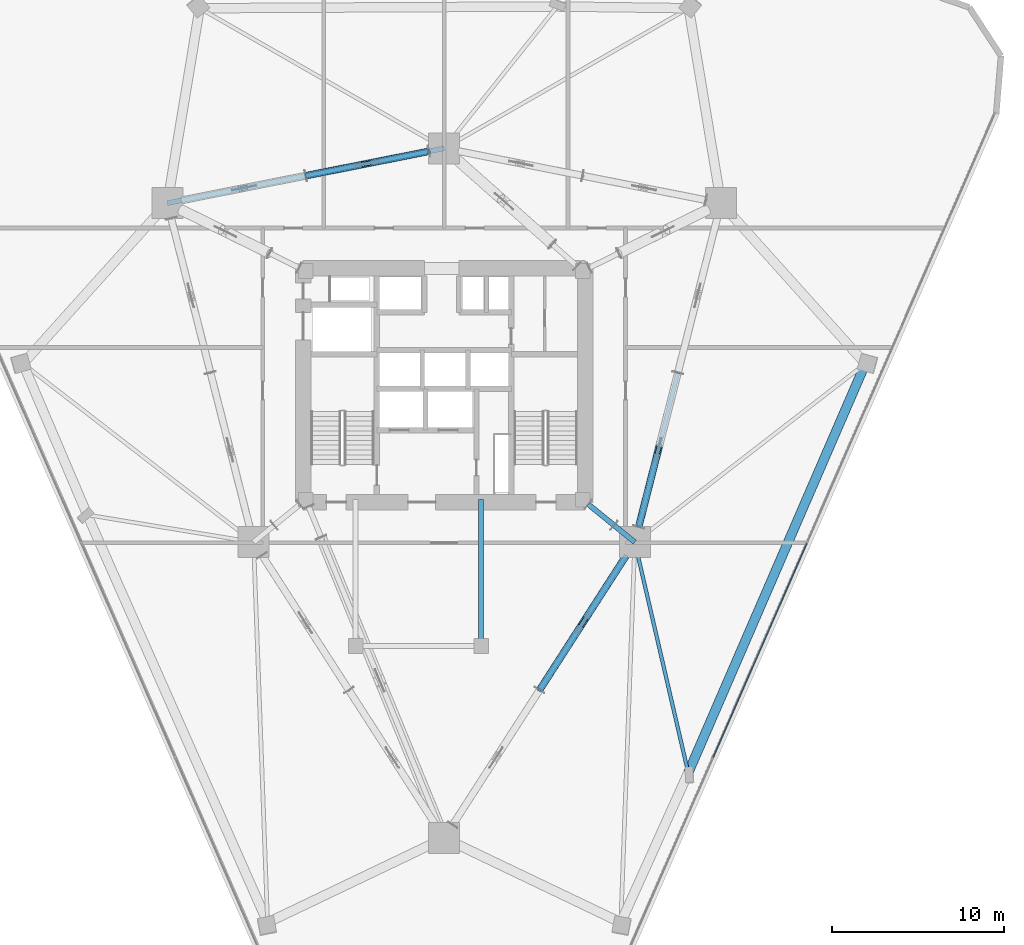
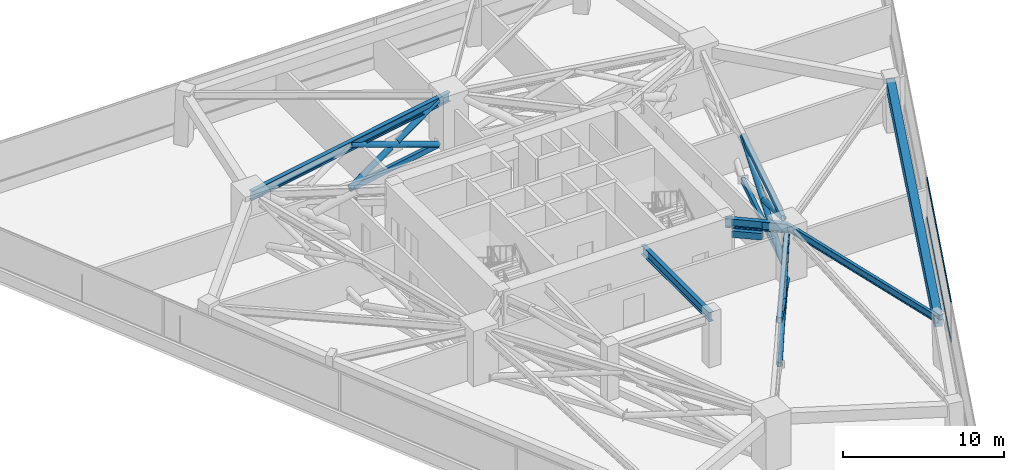
# One storey, part 9 of 20: 18 members, 5 beams, 1 element without a shape of its own.
"""IFC4 building model written with IfcOpenShell, lengths in metres."""

from ifc_helpers import new_model, si_unit, direction, frame, origin, origin_2d, place, context, subcontext, project, spatial, rectangle, hollow_rectangle, hollow_circle, i_section, extrude, material, layer, layer_set, material_profile, profile_set, type_object, element, aggregate, save


model = new_model("IFC4")

# Units and contexts
model_context = context("Model", 3, precision=1e-05, world=origin(), true_north=direction((0.0, 1.0)))
body_context = subcontext(model_context, "Body", "Model", "MODEL_VIEW")
ifc_project = project(units=[si_unit("LENGTHUNIT", "METRE"), si_unit("AREAUNIT", "SQUARE_METRE"), si_unit("VOLUMEUNIT", "CUBIC_METRE"), si_unit("PLANEANGLEUNIT", "RADIAN"), si_unit("MASSUNIT", "GRAM", prefix="KILO")], contexts=[model_context])

# Site, building, storey
site_placement = place(None, origin())
site = spatial("IfcSite", under=ifc_project, at=site_placement, CompositionType="ELEMENT")
building_placement = place(site_placement, origin())
building = spatial("IfcBuilding", under=site, at=building_placement, Name="Talyreon Biosciences Tower", CompositionType="ELEMENT")
storey_placement = place(building_placement, frame((0.0, 0.0, 66.60009765625)))
storey = spatial("IfcBuildingStorey", under=building, at=storey_placement, Name="L17", CompositionType="ELEMENT", Elevation=66.60009765625)

# Members
ifc_material_1 = material(Name="Steel SM355", Category="steel")
ifc_material_profile_1 = material_profile(ifc_material_1, hollow_circle(Radius=0.203125, WallThickness=0.01611328125, at=origin_2d()), Name="CHS 406.4x16")
ifc_profile_set_1 = profile_set([ifc_material_profile_1], Name="Steel SM355")
member_type_1 = type_object("IfcMemberType", Name="BeltBrace_CHS406", PredefinedType="BRACE", material=ifc_profile_set_1)
member_1_placement = place(storey_placement, frame((71.543212890625, 50.273681640625, 0.239990234375), z_axis=(0.509418793271, 0.790970812195, 0.33890657609), x_axis=(-0.840724883889, 0.541462528352, 0.0)))
element("IfcMember", 1, at=member_1_placement, inside=storey, type_object=member_type_1, Name="L17 Continuous Diagonal BELT-L17-B1S2A", PredefinedType="BRACE", context=body_context, shape_type="SweptSolid", body=[
    extrude(hollow_circle(Radius=0.203125, WallThickness=0.01611328125, at=origin_2d()), origin(), (0.0, 0.0, 1.0), 9.913818359375),
])
for number, where, z_axis, x_axis, name in (
    (2, (76.593505859375, 58.115234375, 0.239990234375), (-0.509438384966, -0.790963255354, 0.338894763316), (0.840713049302, -0.541480903388, 0.0), "L17 Split Diagonal BELT-L17-B1S2B-Lower"),
    (3, (73.92578125, 53.972900390625, 2.014892578125), (-0.509438384966, -0.790963255354, 0.338894763316), (0.840713049302, -0.541480903388, 0.0), "L17 Split Diagonal BELT-L17-B1S2B-Upper"),
):
    element("IfcMember", number, at=place(storey_placement, frame(where, z_axis=z_axis, x_axis=x_axis)), inside=storey, type_object=member_type_1, Name=name, PredefinedType="BRACE", context=body_context, shape_type="SweptSolid", body=[
        extrude(hollow_circle(Radius=0.203125, WallThickness=0.01611328125, at=origin_2d()), origin(), (0.0, 0.0, 1.0), 4.6767578125),
    ])
member_2_placement = place(storey_placement, frame((77.310546875, 59.76220703125, 0.239990234375), z_axis=(0.231759370817, 0.911056641468, 0.340974178018), x_axis=(-0.969134278925, 0.246533465097, 0.0)))
element("IfcMember", 4, at=member_2_placement, inside=storey, type_object=member_type_1, Name="L17 Continuous Diagonal BELT-L17-B2S1A", PredefinedType="BRACE", context=body_context, shape_type="SweptSolid", body=[
    extrude(hollow_circle(Radius=0.203125, WallThickness=0.01611328125, at=origin_2d()), origin(), (0.0, 0.0, 1.0), 9.853759765625),
])
member_3_placement = place(storey_placement, frame((78.387451171875, 63.995849609375, 2.015380859375), z_axis=(-0.231745068683, -0.911061264119, 0.340971547439), x_axis=(0.969138212624, -0.246518001031, 0.0)))
element("IfcMember", 5, at=member_3_placement, inside=storey, type_object=member_type_1, Name="L17 Split Diagonal BELT-L17-B2S1B-Upper", PredefinedType="BRACE", context=body_context, shape_type="SweptSolid", body=[
    extrude(hollow_circle(Radius=0.203125, WallThickness=0.01611328125, at=origin_2d()), origin(), (0.0, 0.0, 1.0), 4.64697265625),
])
member_4_placement = place(storey_placement, frame((65.107421875, 81.612060546875, 0.239990234375), z_axis=(-0.891037622972, -0.176524028096, 0.418199978424), x_axis=(0.194333747367, -0.980935469149, 0.0)))
element("IfcMember", 6, at=member_4_placement, inside=storey, type_object=member_type_1, Name="L17 Continuous Diagonal BELT-L17-B4S1A", PredefinedType="BRACE", context=body_context, shape_type="SweptSolid", body=[
    extrude(hollow_circle(Radius=0.203125, WallThickness=0.01611328125, at=origin_2d()), origin(), (0.0, 0.0, 1.0), 8.0341796875),
])
for number, where, z_axis, x_axis, name in (
    (7, (57.94873046875, 80.19384765625, 0.239990234375), (0.891046073694, 0.176523681437, 0.418182118756), (-0.194331606682, 0.980935893239, 0.0), "L17 Split Diagonal BELT-L17-B4S1B-Lower"),
    (8, (61.777587890625, 80.952392578125, 2.037109375), (0.891046073694, 0.176523681437, 0.418182118756), (-0.194331606682, 0.980935893239, 0.0), "L17 Split Diagonal BELT-L17-B4S1B-Upper"),
):
    element("IfcMember", number, at=place(storey_placement, frame(where, z_axis=z_axis, x_axis=x_axis)), inside=storey, type_object=member_type_1, Name=name, PredefinedType="BRACE", context=body_context, shape_type="SweptSolid", body=[
        extrude(hollow_circle(Radius=0.203125, WallThickness=0.01611328125, at=origin_2d()), origin(), (0.0, 0.0, 1.0), 3.737060546875),
    ])
ifc_material_profile_2 = material_profile(ifc_material_1, hollow_rectangle(XDim=0.25, YDim=0.39990234375, WallThickness=0.01611328125, at=origin_2d()), Name="RHS 400x250x16")
ifc_profile_set_2 = profile_set([ifc_material_profile_2], Name="Steel SM355")
member_type_2 = type_object("IfcMemberType", Name="BeltChord_RHS400x250", PredefinedType="CHORD", material=ifc_profile_set_2)
for number, where, z_axis, x_axis, name in (
    (9, (71.543212890625, 50.273681640625, 0.239990234375), (0.541462528352, 0.840724883889, 0.0), (-0.840724883889, 0.541462528352, 0.0), "L17 Truss Bottom Chord BELT-L17-B1S2"),
    (10, (71.543212890625, 50.273681640625, 3.599853515625), (0.541462528352, 0.840724883889, 0.0), (-0.840724883889, 0.541462528352, 0.0), "L17 Truss Top Chord BELT-L17-B1S2"),
):
    element("IfcMember", number, at=place(storey_placement, frame(where, z_axis=z_axis, x_axis=x_axis)), inside=storey, type_object=member_type_2, Name=name, PredefinedType="CHORD", context=body_context, shape_type="SweptSolid", body=[
        extrude(hollow_rectangle(XDim=0.25, YDim=0.39990234375, WallThickness=0.01611328125, at=origin_2d()), origin(), (0.0, 0.0, 1.0), 9.3271484375),
    ])
for number, where, z_axis, x_axis, name in (
    (11, (77.310546875, 59.76220703125, 0.239990234375), (0.246533465097, 0.969134278925, 0.0), (-0.969134278925, 0.246533465097, 0.0), "L17 Truss Bottom Chord BELT-L17-B2S1"),
    (12, (77.310546875, 59.76220703125, 3.599853515625), (0.246533465097, 0.969134278925, 0.0), (-0.969134278925, 0.246533465097, 0.0), "L17 Truss Top Chord BELT-L17-B2S1"),
):
    element("IfcMember", number, at=place(storey_placement, frame(where, z_axis=z_axis, x_axis=x_axis)), inside=storey, type_object=member_type_2, Name=name, PredefinedType="CHORD", context=body_context, shape_type="SweptSolid", body=[
        extrude(hollow_rectangle(XDim=0.25, YDim=0.39990234375, WallThickness=0.01611328125, at=origin_2d()), origin(), (0.0, 0.0, 1.0), 9.26318359375),
    ])
for number, where, z_axis, x_axis, name in (
    (13, (65.107421875, 81.612060546875, 0.239990234375), (-0.980935469149, -0.194333747367, 0.0), (0.194333747367, -0.980935469149, 0.0), "L17 Truss Bottom Chord BELT-L17-B4S1"),
    (14, (65.107421875, 81.612060546875, 3.599853515625), (-0.980935469149, -0.194333747367, 0.0), (0.194333747367, -0.980935469149, 0.0), "L17 Truss Top Chord BELT-L17-B4S1"),
):
    element("IfcMember", number, at=place(storey_placement, frame(where, z_axis=z_axis, x_axis=x_axis)), inside=storey, type_object=member_type_2, Name=name, PredefinedType="CHORD", context=body_context, shape_type="SweptSolid", body=[
        extrude(hollow_rectangle(XDim=0.25, YDim=0.39990234375, WallThickness=0.01611328125, at=origin_2d()), origin(), (0.0, 0.0, 1.0), 7.2978515625),
    ])

# Curtain wall, members
ifc_material_2 = material(Name="Thermally broken aluminium and low-E glazing", Category="aluminium")
ifc_layer = layer(ifc_material_2, 0.195068359375)
ifc_layer_set = layer_set([ifc_layer], Name="Thermally broken aluminium and low-E glazing")
curtain_wall_type = type_object("IfcCurtainWallType", Name="CurtainWall_Zone1WetLab", PredefinedType="NOTDEFINED", material=ifc_layer_set)
curtain_wall_placement = place(storey_placement, origin())
curtain_wall = element("IfcCurtainWall", 15, at=curtain_wall_placement, inside=storey, type_object=curtain_wall_type, Name="L17 Unitised Curtain Wall FCW-L17-08", PredefinedType="NOTDEFINED")
ifc_material_3 = material(Name="Anodised thermally broken aluminium", Category="aluminium")
ifc_material_profile_3 = material_profile(ifc_material_3, rectangle(XDim=0.06494140625, YDim=0.139892578125, at=origin_2d()), Name="ALUM TRANSOM 65x140")
ifc_profile_set_3 = profile_set([ifc_material_profile_3], Name="Anodised thermally broken aluminium")
member_type_3 = type_object("IfcMemberType", Name="CWTransom_65x140", PredefinedType="USERDEFINED", material=ifc_profile_set_3)
member_5_placement = place(storey_placement, frame((87.087646484375, 58.80029296875, 0.84228515625), z_axis=(-0.40082449197, -0.916154859528, 0.0), x_axis=(0.916154859528, -0.40082449197, 0.0)))
member_5 = element("IfcMember", 16, at=member_5_placement, type_object=member_type_3, Name="CW2 transom 3.1", ObjectType="TRANSOM", PredefinedType="USERDEFINED", context=body_context, shape_type="SweptSolid", body=[
    extrude(rectangle(XDim=0.06494140625, YDim=0.139892578125, at=origin_2d()), origin(), (0.0, 0.0, 1.0), 13.58154296875),
])
member_6_placement = place(storey_placement, frame((87.087646484375, 58.80029296875, 3.8173828125), z_axis=(-0.40082449197, -0.916154859528, 0.0), x_axis=(0.916154859528, -0.40082449197, 0.0)))
member_6 = element("IfcMember", 17, at=member_6_placement, type_object=member_type_3, Name="CW2 transom 3.2", ObjectType="TRANSOM", PredefinedType="USERDEFINED", context=body_context, shape_type="SweptSolid", body=[
    extrude(rectangle(XDim=0.06494140625, YDim=0.139892578125, at=origin_2d()), origin(), (0.0, 0.0, 1.0), 13.58154296875),
])
aggregate(curtain_wall, [member_5, member_6])

# Beam
ifc_material_4 = material(Name="Precast concrete C45/55", Category="concrete")
ifc_material_profile_4 = material_profile(ifc_material_4, rectangle(XDim=0.550048828125, YDim=0.85009765625, at=origin_2d()), Name="RCB 550x850")
ifc_profile_set_4 = profile_set([ifc_material_profile_4], Name="Precast concrete C45/55")
beam_type_1 = type_object("IfcBeamType", Name="ExpressedSpandrel_550x850", PredefinedType="SPANDREL", material=ifc_profile_set_4)
beam_1_placement = place(storey_placement, frame((80.195068359375, 45.46630859375, 3.4248046875), z_axis=(0.397290588299, 0.917692861719, 0.0), x_axis=(-0.917692861719, 0.397290588299, 0.0)))
element("IfcBeam", 18, at=beam_1_placement, inside=storey, type_object=beam_type_1, Name="L17 Expressed Horizontal Concrete Spandrel 03", PredefinedType="SPANDREL", context=body_context, shape_type="SweptSolid", body=[
    extrude(rectangle(XDim=0.550048828125, YDim=0.85009765625, at=origin_2d()), origin(), (0.0, 0.0, 1.0), 25.9287109375),
])

# Members
ifc_material_profile_5 = material_profile(ifc_material_1, hollow_rectangle(XDim=0.300048828125, YDim=0.5, WallThickness=0.02001953125, at=origin_2d()), Name="RHS 500x300x20")
ifc_profile_set_5 = profile_set([ifc_material_profile_5], Name="Steel SM355")
member_type_4 = type_object("IfcMemberType", Name="OutriggerChord_RHS500x300", PredefinedType="CHORD", material=ifc_profile_set_5)
for number, where, z_axis, x_axis, name in (
    (19, (74.387451171875, 61.075439453125, 3.599853515625), (0.775805820068, -0.63097173435, 0.0), (0.63097173435, 0.775805820068, 0.0), "L17 Outrigger Core Top Tie 2"),
    (20, (74.387451171875, 61.075439453125, 2.699951171875), (0.775805820068, -0.63097173435, 0.0), (0.63097173435, 0.775805820068, 0.0), "L17 Outrigger Core Plenum Tie 2"),
):
    element("IfcMember", number, at=place(storey_placement, frame(where, z_axis=z_axis, x_axis=x_axis)), inside=storey, type_object=member_type_4, Name=name, PredefinedType="CHORD", context=body_context, shape_type="SweptSolid", body=[
        extrude(hollow_rectangle(XDim=0.300048828125, YDim=0.5, WallThickness=0.02001953125, at=origin_2d()), origin(), (0.0, 0.0, 1.0), 1.914794921875),
    ])

# Beams
ifc_material_profile_6 = material_profile(ifc_material_1, i_section(OverallWidth=0.300048828125, OverallDepth=0.699951171875, WebThickness=0.01708984375, FlangeThickness=0.031982421875, FilletRadius=0.027099609375, at=origin_2d()), Name="HE700B")
ifc_profile_set_6 = profile_set([ifc_material_profile_6], Name="Steel SM355")
beam_type_2 = type_object("IfcBeamType", Name="SteelGirder_HE700B", PredefinedType="BEAM", material=ifc_profile_set_6)
beam_2_placement = place(storey_placement, frame((66.0, 81.788818359375, 3.5), z_axis=(-0.980933730698, -0.194342522311, 0.0), x_axis=(0.194342522311, -0.980933730698, 0.0)))
element("IfcBeam", 21, at=beam_2_placement, inside=storey, type_object=beam_type_2, Name="L17 Mega-Ring Girder 4", PredefinedType="BEAM", context=body_context, shape_type="SweptSolid", body=[
    extrude(i_section(OverallWidth=0.300048828125, OverallDepth=0.699951171875, WebThickness=0.01708984375, FlangeThickness=0.031982421875, FilletRadius=0.027099609375, at=origin_2d()), origin(), (0.0, 0.0, 1.0), 16.415283203125),
])
beam_3_placement = place(storey_placement, frame((74.050048828125, 61.35009765625, 3.5), z_axis=(0.775755154013, -0.631034025249, 0.0), x_axis=(0.631034025249, 0.775755154013, 0.0)))
element("IfcBeam", 22, at=beam_3_placement, inside=storey, type_object=beam_type_2, Name="L17 Radial Primary Girder 2", PredefinedType="BEAM", context=body_context, shape_type="SweptSolid", body=[
    extrude(i_section(OverallWidth=0.300048828125, OverallDepth=0.699951171875, WebThickness=0.01708984375, FlangeThickness=0.031982421875, FilletRadius=0.027099609375, at=origin_2d()), origin(), (0.0, 0.0, 1.0), 3.913818359375),
])
beam_4_placement = place(storey_placement, frame((68.14990234375, 52.840087890625, 3.5), z_axis=(0.0, 1.0, 0.0), x_axis=(-1.0, 0.0, 0.0)))
element("IfcBeam", 23, at=beam_4_placement, inside=storey, type_object=beam_type_2, Name="L17 Crown Shaft Tie Girder E", PredefinedType="BEAM", context=body_context, shape_type="SweptSolid", body=[
    extrude(i_section(OverallWidth=0.300048828125, OverallDepth=0.699951171875, WebThickness=0.01708984375, FlangeThickness=0.031982421875, FilletRadius=0.027099609375, at=origin_2d()), origin(), (0.0, 0.0, 1.0), 8.510009765625),
])
ifc_material_profile_7 = material_profile(ifc_material_1, i_section(OverallWidth=0.2099609375, OverallDepth=0.550048828125, WebThickness=0.010986328125, FlangeThickness=0.01708984375, FilletRadius=0.02392578125, at=origin_2d()), Name="IPE550")
ifc_profile_set_7 = profile_set([ifc_material_profile_7], Name="Steel SM355")
beam_type_3 = type_object("IfcBeamType", Name="SteelJoist_IPE550", PredefinedType="JOIST", material=ifc_profile_set_7)
beam_5_placement = place(storey_placement, frame((77.086181640625, 58.88037109375, 3.574951171875), z_axis=(0.225778797095, -0.974178594911, 0.0), x_axis=(0.974178594911, 0.225778797095, 0.0)))
element("IfcBeam", 24, at=beam_5_placement, inside=storey, type_object=beam_type_3, Name="L17 Radial Composite Floor Joist PL-SE", PredefinedType="JOIST", context=body_context, shape_type="SweptSolid", body=[
    extrude(i_section(OverallWidth=0.2099609375, OverallDepth=0.550048828125, WebThickness=0.010986328125, FlangeThickness=0.01708984375, FilletRadius=0.02392578125, at=origin_2d()), origin(), (0.0, 0.0, 1.0), 13.76953125),
])

save(model, "model.ifc")
